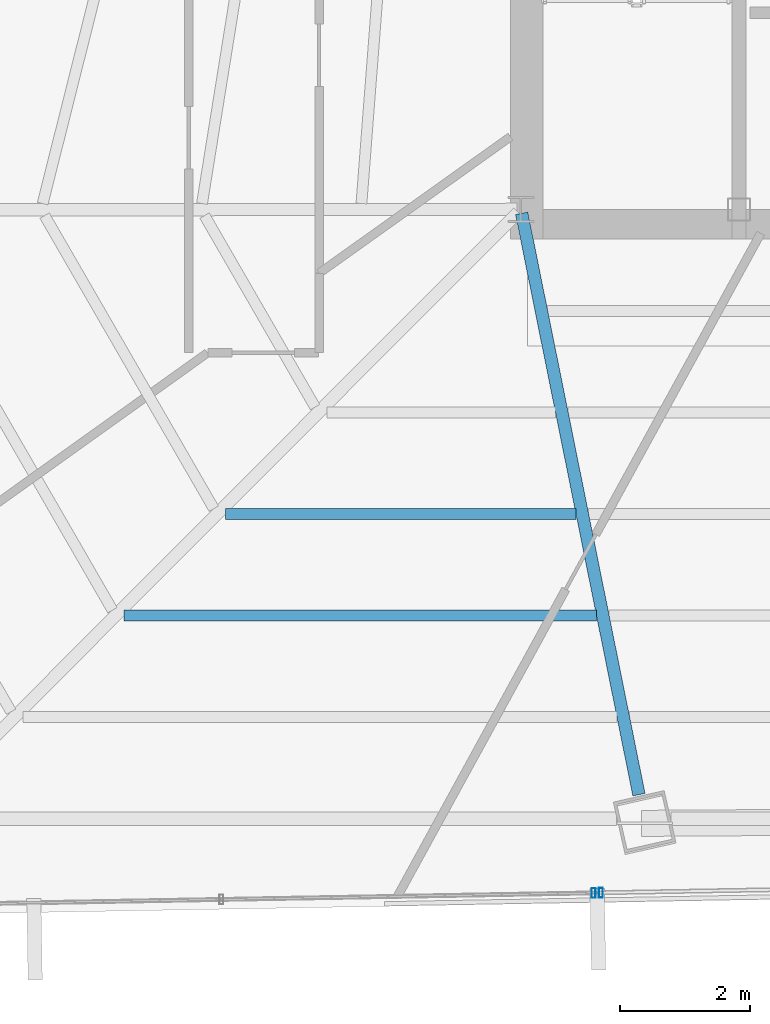
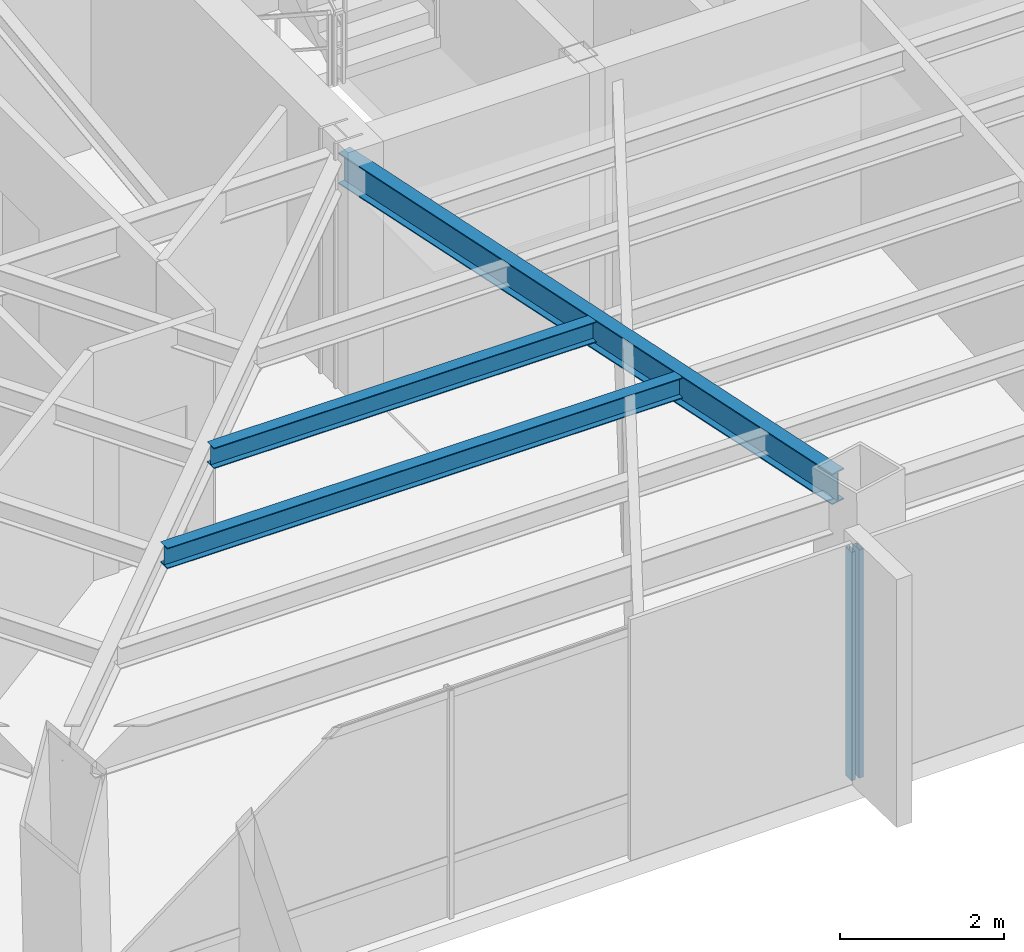
# One storey, part 10 of 42: 3 beams, 2 members, 2 elements without a shape of their own.
"""IFC4 building model written with IfcOpenShell, lengths in metres."""

from ifc_helpers import new_model, si_unit, direction, frame, origin, origin_2d, place, context, subcontext, project, spatial, hollow_rectangle, i_section, extrude, source, transform, mapped, material, material_profile, profile_set, type_object, type_shapes, element, aggregate, save


model = new_model("IFC4")

# Units and contexts
model_context = context("Model", 3, precision=1e-05, world=origin(), true_north=direction((0.0, 1.0)))
body_context = subcontext(model_context, "Body", "Model", "MODEL_VIEW")
ifc_project = project(units=[si_unit("LENGTHUNIT", "METRE"), si_unit("AREAUNIT", "SQUARE_METRE"), si_unit("VOLUMEUNIT", "CUBIC_METRE"), si_unit("PLANEANGLEUNIT", "RADIAN"), si_unit("MASSUNIT", "GRAM", prefix="KILO")], contexts=[model_context])

# Site, building, storey
site_placement = place(None, origin())
site = spatial("IfcSite", under=ifc_project, at=site_placement, CompositionType="ELEMENT")
building_placement = place(site_placement, origin())
building = spatial("IfcBuilding", under=site, at=building_placement, Name="Caelisora Broadcast Tower", CompositionType="ELEMENT")
storey_placement = place(building_placement, frame((0.0, 0.0, 187.699951171875)))
storey = spatial("IfcBuildingStorey", under=building, at=storey_placement, Name="L49", CompositionType="ELEMENT", Elevation=187.699951171875)

# Beams
ifc_material_1 = material(Name="Steel Grade 350 (AS/NZS 3679.1)", Category="steel")
ifc_material_profile_1 = material_profile(ifc_material_1, i_section(OverallWidth=0.19091796875, OverallDepth=0.46044921875, WebThickness=0.010009765625, FlangeThickness=0.01611328125, at=origin_2d()), Name="Steel Grade 350 (AS/NZS 3679.1)")
ifc_profile_set_1 = profile_set([ifc_material_profile_1], Name="Steel Grade 350 (AS/NZS 3679.1)")
beam_type_1 = type_object("IfcBeamType", Name="PG06", PredefinedType="BEAM", material=ifc_profile_set_1)
shared_shape_1 = source(origin(), body_context, "Body", "SweptSolid", [
    extrude(i_section(OverallWidth=0.19091796875, OverallDepth=0.46044921875, WebThickness=0.010009765625, FlangeThickness=0.01611328125, at=origin_2d()), origin(), (0.0, 0.0, 1.0), 9.109130859375),
])
type_shapes(beam_type_1, [shared_shape_1])
beam_1_placement = place(storey_placement, frame((30.511962890625, 17.34130859375, 3.169921875), z_axis=(0.197718842831, -0.980258771544, 0.0), x_axis=(0.980258771544, 0.197718842831, 0.0)))
element("IfcBeam", 1, at=beam_1_placement, inside=storey, type_object=beam_type_1, Name="L49 beam PG06", PredefinedType="BEAM", context=body_context, shape_type="MappedRepresentation", body=[
    mapped(shared_shape_1, transform((0.0, 0.0, 0.0), scale=1.0)),
])
ifc_material_profile_2 = material_profile(ifc_material_1, i_section(OverallWidth=0.166015625, OverallDepth=0.30712890625, WebThickness=0.006591796875, FlangeThickness=0.01171875, at=origin_2d()), Name="Steel Grade 350 (AS/NZS 3679.1)")
ifc_profile_set_2 = profile_set([ifc_material_profile_2], Name="Steel Grade 350 (AS/NZS 3679.1)")
beam_type_2 = type_object("IfcBeamType", Name="SB03", PredefinedType="JOIST", material=ifc_profile_set_2)
shared_shape_2 = source(origin(), body_context, "Body", "SweptSolid", [
    extrude(i_section(OverallWidth=0.166015625, OverallDepth=0.30712890625, WebThickness=0.006591796875, FlangeThickness=0.01171875, at=origin_2d()), origin(), (0.0, 0.0, 1.0), 5.386474609375),
])
beam_2_placement = place(storey_placement, frame((25.962890625, 12.7216796875, 3.246337890625), z_axis=(1.0, 0.0, 0.0), x_axis=(0.0, 1.0, 0.0)))
element("IfcBeam", 2, at=beam_2_placement, inside=storey, type_object=beam_type_2, Name="L49 beam SB03", PredefinedType="JOIST", context=body_context, shape_type="MappedRepresentation", body=[
    mapped(shared_shape_2, transform((0.0, 0.0, 0.0), scale=1.0)),
])
shared_shape_3 = source(origin(), body_context, "Body", "SweptSolid", [
    extrude(i_section(OverallWidth=0.166015625, OverallDepth=0.30712890625, WebThickness=0.006591796875, FlangeThickness=0.01171875, at=origin_2d()), origin(), (0.0, 0.0, 1.0), 7.257080078125),
])
type_shapes(beam_type_2, [shared_shape_2, shared_shape_3])
beam_3_placement = place(storey_placement, frame((24.40673828125, 11.162353515625, 3.246337890625), z_axis=(1.0, 0.0, 0.0), x_axis=(0.0, 1.0, 0.0)))
element("IfcBeam", 3, at=beam_3_placement, inside=storey, type_object=beam_type_2, Name="L49 beam SB03", PredefinedType="JOIST", context=body_context, shape_type="MappedRepresentation", body=[
    mapped(shared_shape_3, transform((0.0, 0.0, 0.0), scale=1.0)),
])

# Curtain wall, member
ifc_material_2 = material(Name="Unitised Aluminium Insulated Shadow-Box Spandrel Curtain Wall", Category="aluminium")
curtain_wall_type_1 = type_object("IfcCurtainWallType", Name="CW-SP2", PredefinedType="NOTDEFINED", material=ifc_material_2)
curtain_wall_1_placement = place(storey_placement, origin())
curtain_wall_1 = element("IfcCurtainWall", 4, at=curtain_wall_1_placement, inside=storey, type_object=curtain_wall_type_1, Name="L49 curtain wall CW-SP2", PredefinedType="NOTDEFINED")
ifc_material_3 = material(Name="Aluminium 6063-T6 Anodised Terracotta Bronze", Category="aluminium")
ifc_material_profile_3 = material_profile(ifc_material_3, hollow_rectangle(XDim=0.06005859375, YDim=0.14990234375, WallThickness=0.00341796875, at=origin_2d()), Name="Aluminium 6063-T6 Anodised Terracotta Bronze")
ifc_profile_set_3 = profile_set([ifc_material_profile_3], Name="Aluminium 6063-T6 Anodised Terracotta Bronze")
member_type = type_object("IfcMemberType", Name="CWM-03", PredefinedType="MULLION", material=ifc_profile_set_3)
shared_shape_4 = source(origin(), body_context, "Body", "SweptSolid", [
    extrude(hollow_rectangle(XDim=0.06005859375, YDim=0.14990234375, WallThickness=0.00341796875, at=origin_2d()), origin(), (0.0, 0.0, 1.0), 3.400146484375),
])
type_shapes(member_type, [shared_shape_4])
member_1_placement = place(storey_placement, frame((31.727294921875, 6.9052734375, 0.0), z_axis=(0.0, 0.0, 1.0), x_axis=(1.0, 0.0, 0.0)))
member_1 = element("IfcMember", 5, at=member_1_placement, type_object=member_type, Name="L49-CW-B06 mullion #3", PredefinedType="MULLION", context=body_context, shape_type="MappedRepresentation", body=[
    mapped(shared_shape_4, transform((0.0, 0.0, 0.0), scale=1.0)),
])
aggregate(curtain_wall_1, [member_1])

ifc_material_4 = material(Name="Unitised Aluminium and Low-E Glass Curtain Wall", Category="glass")
curtain_wall_type_2 = type_object("IfcCurtainWallType", Name="CW-Z4", PredefinedType="NOTDEFINED", material=ifc_material_4)
curtain_wall_2_placement = place(storey_placement, origin())
curtain_wall_2 = element("IfcCurtainWall", 6, at=curtain_wall_2_placement, inside=storey, type_object=curtain_wall_type_2, Name="L49 curtain wall CW-Z4", PredefinedType="NOTDEFINED")
member_2_placement = place(storey_placement, frame((31.617431640625, 6.9033203125, 0.0), z_axis=(0.0, 0.0, 1.0), x_axis=(1.0, 0.0, 0.0)))
member_2 = element("IfcMember", 7, at=member_2_placement, type_object=member_type, Name="L49-CW-B07 mullion #0", PredefinedType="MULLION", context=body_context, shape_type="MappedRepresentation", body=[
    mapped(shared_shape_4, transform((0.0, 0.0, 0.0), scale=1.0)),
])
aggregate(curtain_wall_2, [member_2])

save(model, "model.ifc")
